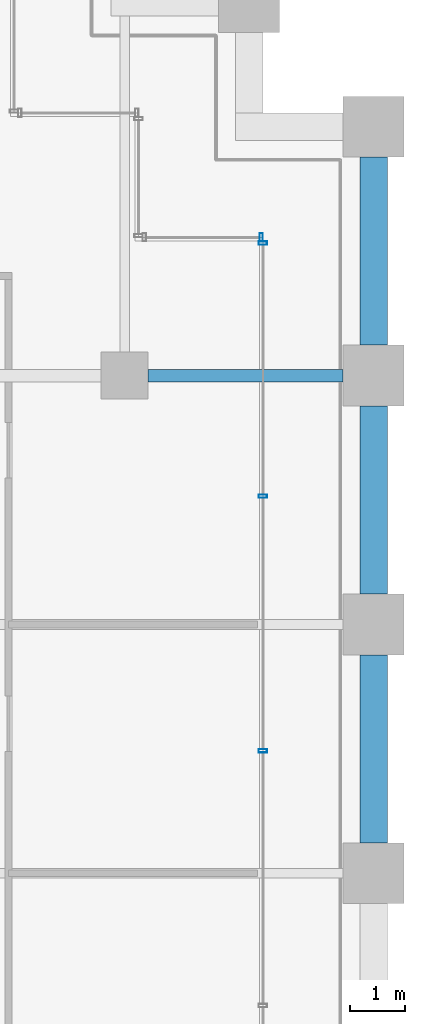
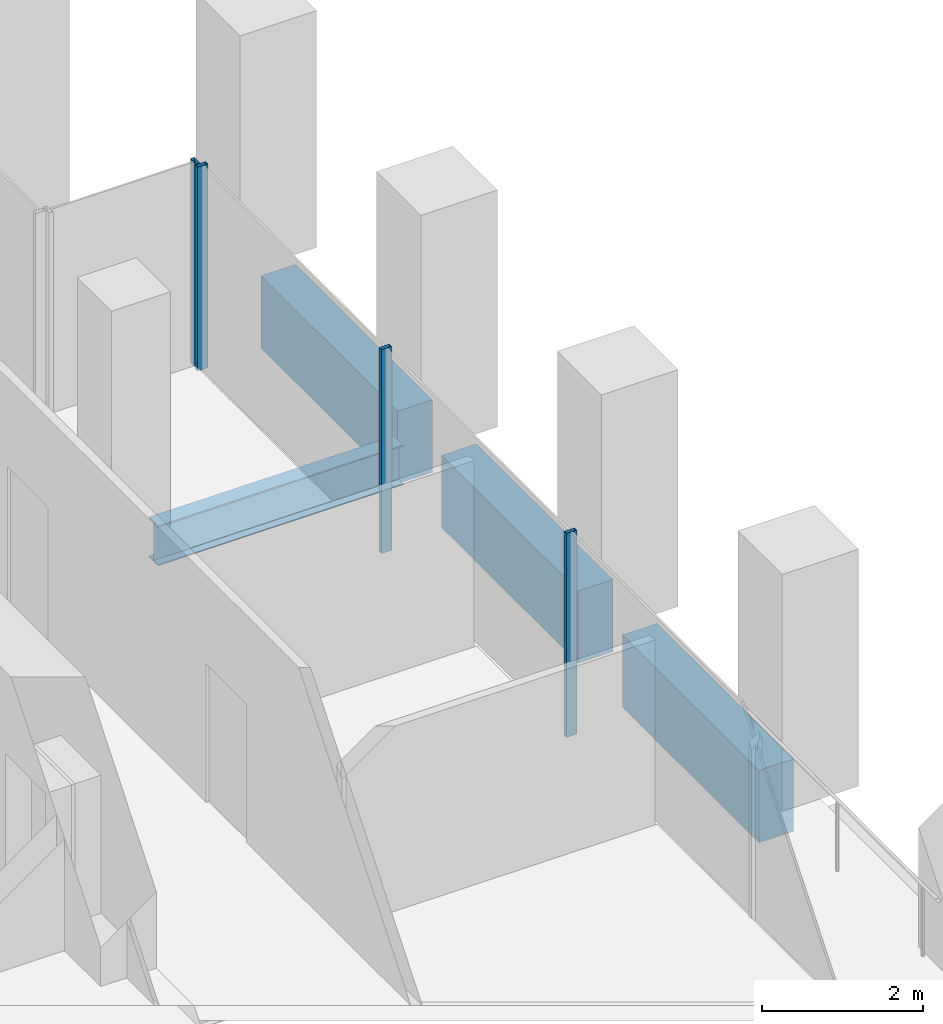
# One storey, part 47 of 54: 4 beams, 4 members, 2 elements without a shape of their own.
"""IFC4 building model written with IfcOpenShell, lengths in metres."""

from ifc_helpers import new_model, si_unit, direction, frame, origin, origin_2d, place, context, subcontext, project, spatial, rectangle, hollow_rectangle, i_section, extrude, material, material_profile, profile_set, type_object, element, aggregate, save


model = new_model("IFC4")

# Units and contexts
model_context = context("Model", 3, precision=1e-05, world=origin(), true_north=direction((0.0, 1.0)))
body_context = subcontext(model_context, "Body", "Model", "MODEL_VIEW")
ifc_project = project(units=[si_unit("LENGTHUNIT", "METRE"), si_unit("AREAUNIT", "SQUARE_METRE"), si_unit("VOLUMEUNIT", "CUBIC_METRE"), si_unit("PLANEANGLEUNIT", "RADIAN"), si_unit("MASSUNIT", "GRAM", prefix="KILO")], contexts=[model_context])

# Site, building, storey
site_placement = place(None, origin())
site = spatial("IfcSite", under=ifc_project, at=site_placement, CompositionType="ELEMENT")
building_placement = place(site_placement, origin())
building = spatial("IfcBuilding", under=site, at=building_placement, Name="Altepetl Exchange Towers", CompositionType="ELEMENT")
storey_placement = place(building_placement, frame((0.0, 0.0, 58.199951171875)))
storey = spatial("IfcBuildingStorey", under=building, at=storey_placement, Name="L13", CompositionType="ELEMENT", Elevation=58.199951171875)

# Beam
ifc_material_1 = material(Name="Steel S355", Category="steel")
ifc_material_profile_1 = material_profile(ifc_material_1, i_section(OverallWidth=0.22802734375, OverallDepth=0.60791015625, WebThickness=0.01123046875, FlangeThickness=0.017333984375, at=origin_2d()), Name="W24X76")
ifc_profile_set_1 = profile_set([ifc_material_profile_1], Name="Steel S355")
beam_type_1 = type_object("IfcBeamType", Name="Girder W24X76", PredefinedType="BEAM", material=ifc_profile_set_1)
beam_1_placement = place(storey_placement, frame((121.925048828125, 49.5, -0.453857421875), z_axis=(1.0, 0.0, 0.0), x_axis=(0.0, 1.0, 0.0)))
element("IfcBeam", 1, at=beam_1_placement, inside=storey, type_object=beam_type_1, Name="gd:B:L13:001", PredefinedType="BEAM", context=body_context, shape_type="SweptSolid", body=[
    extrude(i_section(OverallWidth=0.22802734375, OverallDepth=0.60791015625, WebThickness=0.01123046875, FlangeThickness=0.017333984375, at=origin_2d()), origin(), (0.0, 0.0, 1.0), 3.52490234375),
])

# Curtain wall, members
ifc_material_2 = material(Name="Aluminium 6063-T6 glazing", Category="aluminium")
curtain_wall_type = type_object("IfcCurtainWallType", Name="Loggia glazing system", PredefinedType="NOTDEFINED", material=ifc_material_2)
curtain_wall_1_placement = place(storey_placement, origin())
curtain_wall_1 = element("IfcCurtainWall", 2, at=curtain_wall_1_placement, inside=storey, type_object=curtain_wall_type, Name="CW1 run", PredefinedType="NOTDEFINED")
ifc_material_3 = material(Name="Aluminium 6063-T6", Category="aluminium")
ifc_material_profile_2 = material_profile(ifc_material_3, hollow_rectangle(XDim=0.06005859375, YDim=0.14990234375, WallThickness=0.0029296875, at=origin_2d()), Name="Mullion 60x150 aluminium")
ifc_profile_set_2 = profile_set([ifc_material_profile_2], Name="Aluminium 6063-T6")
member_type = type_object("IfcMemberType", Name="Mullion 60x150 aluminium", PredefinedType="MULLION", material=ifc_profile_set_2)
member_1_placement = place(storey_placement, frame((124.0, 42.71240234375, 0.0), z_axis=(0.0, 0.0, 1.0), x_axis=(0.0, 1.0, 0.0)))
member_1 = element("IfcMember", 3, at=member_1_placement, type_object=member_type, Name="MU1 mullion", PredefinedType="MULLION", context=body_context, shape_type="SweptSolid", body=[
    extrude(hollow_rectangle(XDim=0.06005859375, YDim=0.14990234375, WallThickness=0.0029296875, at=origin_2d()), origin(), (0.0, 0.0, 1.0), 3.10009765625),
])
member_2_placement = place(storey_placement, frame((124.0, 47.31884765625, 0.0), z_axis=(0.0, 0.0, 1.0), x_axis=(0.0, 1.0, 0.0)))
member_2 = element("IfcMember", 4, at=member_2_placement, type_object=member_type, Name="MU1 mullion", PredefinedType="MULLION", context=body_context, shape_type="SweptSolid", body=[
    extrude(hollow_rectangle(XDim=0.06005859375, YDim=0.14990234375, WallThickness=0.0029296875, at=origin_2d()), origin(), (0.0, 0.0, 1.0), 3.10009765625),
])
member_3_placement = place(storey_placement, frame((124.0, 51.89501953125, 0.0), z_axis=(0.0, 0.0, 1.0), x_axis=(0.0, 1.0, 0.0)))
member_3 = element("IfcMember", 5, at=member_3_placement, type_object=member_type, Name="MU1 mullion", PredefinedType="MULLION", context=body_context, shape_type="SweptSolid", body=[
    extrude(hollow_rectangle(XDim=0.06005859375, YDim=0.14990234375, WallThickness=0.0029296875, at=origin_2d()), origin(), (0.0, 0.0, 1.0), 3.10009765625),
])
aggregate(curtain_wall_1, [member_1, member_2, member_3])

# Curtain wall, member
curtain_wall_2_placement = place(storey_placement, origin())
curtain_wall_2 = element("IfcCurtainWall", 6, at=curtain_wall_2_placement, inside=storey, type_object=curtain_wall_type, Name="CW1 run", PredefinedType="NOTDEFINED")
member_4_placement = place(storey_placement, frame((123.969970703125, 52.0, 0.0), z_axis=(0.0, 0.0, 1.0), x_axis=(-1.0, 0.0, 0.0)))
member_4 = element("IfcMember", 7, at=member_4_placement, type_object=member_type, Name="MU1 mullion", PredefinedType="MULLION", context=body_context, shape_type="SweptSolid", body=[
    extrude(hollow_rectangle(XDim=0.06005859375, YDim=0.14990234375, WallThickness=0.0029296875, at=origin_2d()), origin(), (0.0, 0.0, 1.0), 3.10009765625),
])
aggregate(curtain_wall_2, [member_4])

# Beams
ifc_material_4 = material(Name="Concrete C50/60 precast with cantera amarilla facing", Category="concrete")
ifc_material_profile_3 = material_profile(ifc_material_4, rectangle(XDim=0.5, YDim=1.10009765625, at=origin_2d()), Name="500 x 1100")
ifc_profile_set_3 = profile_set([ifc_material_profile_3], Name="Concrete C50/60 precast with cantera amarilla facing")
beam_type_2 = type_object("IfcBeamType", Name="Spandrel beam 500x1100 cantera amarilla", PredefinedType="SPANDREL", material=ifc_profile_set_3)
beam_2_placement = place(storey_placement, frame((126.0, 50.050048828125, -0.699951171875), z_axis=(0.0, 1.0, 0.0), x_axis=(-1.0, 0.0, 0.0)))
element("IfcBeam", 8, at=beam_2_placement, inside=storey, type_object=beam_type_2, Name="sp:B:L13:013", PredefinedType="SPANDREL", context=body_context, shape_type="SweptSolid", body=[
    extrude(rectangle(XDim=0.5, YDim=1.10009765625, at=origin_2d()), origin(), (0.0, 0.0, 1.0), 3.39990234375),
])
ifc_material_5 = material(Name="Concrete C50/60 precast with cantera blanca facing", Category="concrete")
ifc_material_profile_4 = material_profile(ifc_material_5, rectangle(XDim=0.5, YDim=1.10009765625, at=origin_2d()), Name="500 x 1100")
ifc_profile_set_4 = profile_set([ifc_material_profile_4], Name="Concrete C50/60 precast with cantera blanca facing")
beam_type_3 = type_object("IfcBeamType", Name="Spandrel beam 500x1100 cantera blanca", PredefinedType="SPANDREL", material=ifc_profile_set_4)
for number, where, z_axis, x_axis, name in (
    (9, (126.0, 41.050048828125, -0.699951171875), (0.0, 1.0, 0.0), (-1.0, 0.0, 0.0), "sp:B:L13:011"),
    (10, (126.0, 45.550048828125, -0.699951171875), (0.0, 1.0, 0.0), (-1.0, 0.0, 0.0), "sp:B:L13:012"),
):
    element("IfcBeam", number, at=place(storey_placement, frame(where, z_axis=z_axis, x_axis=x_axis)), inside=storey, type_object=beam_type_3, Name=name, PredefinedType="SPANDREL", context=body_context, shape_type="SweptSolid", body=[
        extrude(rectangle(XDim=0.5, YDim=1.10009765625, at=origin_2d()), origin(), (0.0, 0.0, 1.0), 3.39990234375),
    ])

save(model, "model.ifc")
